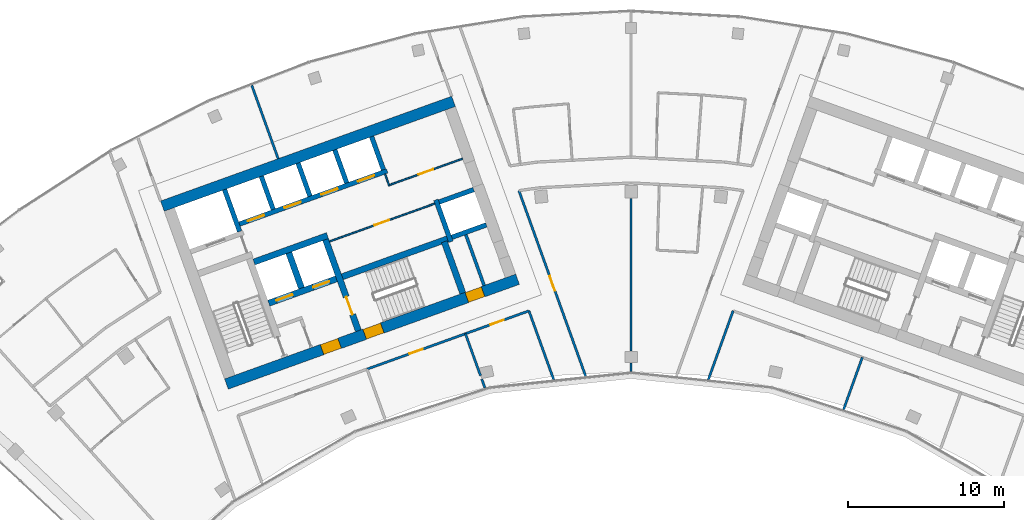
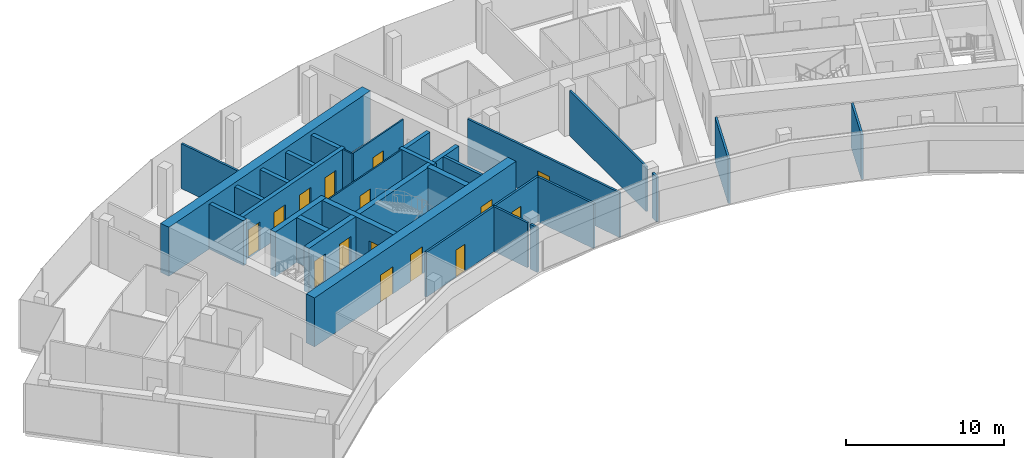
# One storey, part 13 of 18: 31 walls, 15 doors, 15 openings.
"""IFC4 building model written with IfcOpenShell, lengths in metres."""

from ifc_helpers import new_model, si_unit, direction, frame, frame_2d, origin, place, context, subcontext, project, spatial, rectangle, extrude, material, layer, layer_set, type_object, element, fill, save


model = new_model("IFC4")

# Units and contexts
model_context = context("Model", 3, precision=1e-05, world=origin(), true_north=direction((0.0, 1.0)))
body_context = subcontext(model_context, "Body", "Model", "MODEL_VIEW")
ifc_project = project(units=[si_unit("LENGTHUNIT", "METRE"), si_unit("AREAUNIT", "SQUARE_METRE"), si_unit("VOLUMEUNIT", "CUBIC_METRE"), si_unit("PLANEANGLEUNIT", "RADIAN"), si_unit("MASSUNIT", "GRAM", prefix="KILO")], contexts=[model_context])

# Site, building, storey
site_placement = place(None, origin())
site = spatial("IfcSite", under=ifc_project, at=site_placement, CompositionType="ELEMENT")
building_placement = place(site_placement, origin())
building = spatial("IfcBuilding", under=site, at=building_placement, Name="Stone Belt Terrace Tower", CompositionType="ELEMENT")
storey_placement = place(building_placement, frame((0.0, 0.0, 273.199951171875)))
storey = spatial("IfcBuildingStorey", under=building, at=storey_placement, Name="L66", CompositionType="ELEMENT", Elevation=273.199951171875)

# Wall, opening, door
ifc_material_1 = material(Name="Plasterboard partition")
ifc_layer_1 = layer(ifc_material_1, 0.10009765625)
ifc_layer_set_1 = layer_set([ifc_layer_1], Name="Core partition 100")
wall_type_1 = type_object("IfcWallType", Name="Core partition 100", PredefinedType="PARTITIONING", material=ifc_layer_set_1)
wall_1_placement = place(storey_placement, frame((-19.29052734375, 51.829833984375, 0.0), z_axis=(0.0, 0.0, 1.0), x_axis=(0.94092179465, 0.338623945331, 0.0)))
wall_1 = element("IfcWall", 1, at=wall_1_placement, inside=storey, type_object=wall_type_1, Name="Core A wall", PredefinedType="PARTITIONING", context=body_context, shape_type="SweptSolid", body=[
    extrude(rectangle(XDim=7.14990234375, YDim=0.10009765625, at=frame_2d((3.574951171875, 0.0))), origin(), (0.0, 0.0, 1.0), 3.47998046875),
])
opening_1_placement = place(wall_1_placement, frame((3.050048828125, 0.0, 0.0)))
opening_1 = element("IfcOpeningElement", 2, at=opening_1_placement, cuts=wall_1, Name="Opening L66-C02", PredefinedType="OPENING", context=body_context, shape_type="SweptSolid", body=[
    extrude(rectangle(XDim=1.0, YDim=2.10009765625, at=frame_2d((0.5, 1.050048828125))), frame((0.0, 0.06005859375, 0.0), z_axis=(0.0, -1.0, 0.0), x_axis=(1.0, 0.0, 0.0)), (0.0, 0.0, 1.0), 0.1201171875),
])
ifc_material_2 = material(Name="Timber door leaf", Category="wood")
door_type_1 = type_object("IfcDoorType", Name="Core room door 1000", OperationType="SINGLE_SWING_LEFT", PredefinedType="DOOR", material=ifc_material_2)
door_1_placement = place(opening_1_placement, origin())
door_1 = element("IfcDoor", 3, at=door_1_placement, inside=storey, type_object=door_type_1, Name="Door to Pantry core A", OperationType="SINGLE_SWING_LEFT", OverallHeight=2.10009765625, OverallWidth=1.0, PredefinedType="DOOR", context=body_context, shape_type="SweptSolid", body=[
    extrude(rectangle(XDim=1.0, YDim=2.10009765625, at=frame_2d((0.5, 1.050048828125))), frame((0.0, 0.02490234375, 0.0), z_axis=(0.0, -1.0, 0.0), x_axis=(1.0, 0.0, 0.0)), (0.0, 0.0, 1.0), 0.050048828125),
])
fill(opening_1, door_1)

# Wall
wall_2_placement = place(storey_placement, frame((-15.46826171875, 55.384033203125, 0.0), z_axis=(0.0, 0.0, 1.0), x_axis=(-0.338481684961, 0.940972979923, 0.0)))
element("IfcWall", 4, at=wall_2_placement, inside=storey, type_object=wall_type_1, Name="Core A wall", PredefinedType="PARTITIONING", context=body_context, shape_type="SweptSolid", body=[
    extrude(rectangle(XDim=0.7998046875, YDim=0.10009765625, at=frame_2d((0.39990234375, 0.0))), origin(), (0.0, 0.0, 1.0), 3.47998046875),
])

# Wall, opening, door
wall_3_placement = place(storey_placement, frame((-15.43798828125, 55.447998046875, 0.0), z_axis=(0.0, 0.0, 1.0), x_axis=(0.940914445113, 0.338644366522, 0.0)))
wall_3 = element("IfcWall", 5, at=wall_3_placement, inside=storey, type_object=wall_type_1, Name="Core A wall", PredefinedType="PARTITIONING", context=body_context, shape_type="SweptSolid", body=[
    extrude(rectangle(XDim=4.949951171875, YDim=0.10009765625, at=frame_2d((2.47509765625, 0.0))), origin(), (0.0, 0.0, 1.0), 3.47998046875),
])
opening_2_placement = place(wall_3_placement, frame((1.949951171875, 0.0, 0.0)))
opening_2 = element("IfcOpeningElement", 6, at=opening_2_placement, cuts=wall_3, Name="Opening L66-C01", PredefinedType="OPENING", context=body_context, shape_type="SweptSolid", body=[
    extrude(rectangle(XDim=1.0, YDim=2.10009765625, at=frame_2d((0.5, 1.050048828125))), frame((0.0, 0.06005859375, 0.0), z_axis=(0.0, -1.0, 0.0), x_axis=(1.0, 0.0, 0.0)), (0.0, 0.0, 1.0), 0.1201171875),
])
door_2_placement = place(opening_2_placement, origin())
door_2 = element("IfcDoor", 7, at=door_2_placement, inside=storey, type_object=door_type_1, Name="Door to Print and copy room core A", OperationType="SINGLE_SWING_LEFT", OverallHeight=2.10009765625, OverallWidth=1.0, PredefinedType="DOOR", context=body_context, shape_type="SweptSolid", body=[
    extrude(rectangle(XDim=1.0, YDim=2.10009765625, at=frame_2d((0.5, 1.050048828125))), frame((0.0, 0.02490234375, 0.0), z_axis=(0.0, -1.0, 0.0), x_axis=(1.0, 0.0, 0.0)), (0.0, 0.0, 1.0), 0.050048828125),
])
fill(opening_2, door_2)

# Wall, openings, doors
ifc_material_3 = material(Name="Concrete B60", Category="concrete")
ifc_layer_2 = layer(ifc_material_3, 0.699951171875)
ifc_layer_set_2 = layer_set([ifc_layer_2], Name="Core wall 700 B60")
wall_type_2 = type_object("IfcWallType", Name="Core wall 700 B60", PredefinedType="SHEAR", material=ifc_layer_set_2)
wall_4_placement = place(storey_placement, frame((-25.890869140625, 42.705810546875, 0.0), z_axis=(0.0, 0.0, 1.0), x_axis=(0.940925130461, 0.338614676094, 0.0)))
wall_4 = element("IfcWall", 8, at=wall_4_placement, inside=storey, type_object=wall_type_2, Name="Core A wall concave L66", PredefinedType="SHEAR", context=body_context, shape_type="SweptSolid", body=[
    extrude(rectangle(XDim=19.800048828125, YDim=0.699951171875, at=frame_2d((9.89990234375, 0.0))), origin(), (0.0, 0.0, 1.0), 3.800048828125),
])
opening_3_placement = place(wall_4_placement, frame((6.5, 0.0, 0.0)))
opening_3 = element("IfcOpeningElement", 9, at=opening_3_placement, cuts=wall_4, Name="Opening L66-C07", PredefinedType="OPENING", context=body_context, shape_type="SweptSolid", body=[
    extrude(rectangle(XDim=1.199951171875, YDim=2.10009765625, at=frame_2d((0.60009765625, 1.050048828125))), frame((0.0, 0.35986328125, 0.0), z_axis=(0.0, -1.0, 0.0), x_axis=(1.0, 0.0, 0.0)), (0.0, 0.0, 1.0), 0.719970703125),
])
opening_4_placement = place(wall_4_placement, frame((9.39990234375, 0.0, 0.0)))
opening_4 = element("IfcOpeningElement", 10, at=opening_4_placement, cuts=wall_4, Name="Opening L66-C09", PredefinedType="OPENING", context=body_context, shape_type="SweptSolid", body=[
    extrude(rectangle(XDim=1.199951171875, YDim=2.10009765625, at=frame_2d((0.60009765625, 1.050048828125))), frame((0.0, 0.35986328125, 0.0), z_axis=(0.0, -1.0, 0.0), x_axis=(1.0, 0.0, 0.0)), (0.0, 0.0, 1.0), 0.719970703125),
])
opening_5_placement = place(wall_4_placement, frame((16.35009765625, 0.0, 0.0)))
opening_5 = element("IfcOpeningElement", 11, at=opening_5_placement, cuts=wall_4, Name="Opening L66-C11", PredefinedType="OPENING", context=body_context, shape_type="SweptSolid", body=[
    extrude(rectangle(XDim=1.10009765625, YDim=2.10009765625, at=frame_2d((0.550048828125, 1.050048828125))), frame((0.0, 0.35986328125, 0.0), z_axis=(0.0, -1.0, 0.0), x_axis=(1.0, 0.0, 0.0)), (0.0, 0.0, 1.0), 0.719970703125),
])
door_type_2 = type_object("IfcDoorType", Name="Core room door 1100", OperationType="SINGLE_SWING_LEFT", PredefinedType="DOOR", material=ifc_material_2)
door_3_placement = place(opening_5_placement, origin())
door_3 = element("IfcDoor", 12, at=door_3_placement, inside=storey, type_object=door_type_2, Name="Door to Communications riser room core A", OperationType="SINGLE_SWING_LEFT", OverallHeight=2.10009765625, OverallWidth=1.10009765625, PredefinedType="DOOR", context=body_context, shape_type="SweptSolid", body=[
    extrude(rectangle(XDim=1.10009765625, YDim=2.10009765625, at=frame_2d((0.550048828125, 1.050048828125))), frame((0.0, 0.330078125, 0.0), z_axis=(0.0, -1.0, 0.0), x_axis=(1.0, 0.0, 0.0)), (0.0, 0.0, 1.0), 0.659912109375),
])
fill(opening_5, door_3)
ifc_material_4 = material(Name="Steel door leaf", Category="steel")
door_type_3 = type_object("IfcDoorType", Name="Fire-fighting lobby door 1200", OperationType="SINGLE_SWING_LEFT", PredefinedType="DOOR", material=ifc_material_4)
door_4_placement = place(opening_3_placement, origin())
door_4 = element("IfcDoor", 13, at=door_4_placement, inside=storey, type_object=door_type_3, Name="Fire-fighting lobby door core A", OperationType="SINGLE_SWING_LEFT", OverallHeight=2.10009765625, OverallWidth=1.199951171875, PredefinedType="DOOR", context=body_context, shape_type="SweptSolid", body=[
    extrude(rectangle(XDim=1.199951171875, YDim=2.10009765625, at=frame_2d((0.60009765625, 1.050048828125))), frame((0.0, 0.330078125, 0.0), z_axis=(0.0, -1.0, 0.0), x_axis=(1.0, 0.0, 0.0)), (0.0, 0.0, 1.0), 0.659912109375),
])
fill(opening_3, door_4)
door_type_4 = type_object("IfcDoorType", Name="Stair door 1200", OperationType="SINGLE_SWING_LEFT", PredefinedType="DOOR", material=ifc_material_4)
door_5_placement = place(opening_4_placement, origin())
door_5 = element("IfcDoor", 14, at=door_5_placement, inside=storey, type_object=door_type_4, Name="Stair 2 exit door core A", OperationType="SINGLE_SWING_RIGHT", OverallHeight=2.10009765625, OverallWidth=1.199951171875, PredefinedType="DOOR", context=body_context, shape_type="SweptSolid", body=[
    extrude(rectangle(XDim=1.199951171875, YDim=2.10009765625, at=frame_2d((0.60009765625, 1.050048828125))), frame((0.0, 0.330078125, 0.0), z_axis=(0.0, -1.0, 0.0), x_axis=(1.0, 0.0, 0.0)), (0.0, 0.0, 1.0), 0.659912109375),
])
fill(opening_4, door_5)

# Walls
wall_5_placement = place(storey_placement, frame((-29.988037109375, 54.0908203125, 0.0), z_axis=(0.0, 0.0, 1.0), x_axis=(0.940919787944, 0.33862952124, 0.0)))
element("IfcWall", 15, at=wall_5_placement, inside=storey, type_object=wall_type_2, Name="Core A wall convex L66", PredefinedType="SHEAR", context=body_context, shape_type="SweptSolid", body=[
    extrude(rectangle(XDim=19.7998046875, YDim=0.699951171875, at=frame_2d((9.89990234375, 0.0))), origin(), (0.0, 0.0, 1.0), 3.800048828125),
])
ifc_material_5 = material(Name="Concrete B80", Category="concrete")
ifc_layer_3 = layer(ifc_material_5, 0.39990234375)
ifc_layer_set_3 = layer_set([ifc_layer_3], Name="Fire-fighting lift shaft wall 400")
wall_type_3 = type_object("IfcWallType", Name="Fire-fighting lift shaft wall 400", PredefinedType="SHEAR", material=ifc_layer_set_3)
wall_6_placement = place(storey_placement, frame((-24.130615234375, 50.512939453125, 0.0), z_axis=(0.0, 0.0, 1.0), x_axis=(0.94091168377, 0.338652038744, 0.0)))
element("IfcWall", 16, at=wall_6_placement, inside=storey, type_object=wall_type_3, Name="Core A wall", PredefinedType="SHEAR", context=body_context, shape_type="SweptSolid", body=[
    extrude(rectangle(XDim=5.000244140625, YDim=0.39990234375, at=frame_2d((2.5, 0.0))), origin(), (0.0, 0.0, 1.0), 3.47998046875),
])
wall_7_placement = place(storey_placement, frame((-21.0859375, 48.845458984375, 0.0), z_axis=(0.0, 0.0, 1.0), x_axis=(-0.338629416206, 0.940919825745, 0.0)))
element("IfcWall", 17, at=wall_7_placement, inside=storey, type_object=wall_type_3, Name="Core A wall", PredefinedType="SHEAR", context=body_context, shape_type="SweptSolid", body=[
    extrude(rectangle(XDim=2.400146484375, YDim=0.39990234375, at=frame_2d((1.2001953125, 0.0))), origin(), (0.0, 0.0, 1.0), 3.47998046875),
])
ifc_layer_4 = layer(ifc_material_5, 0.300048828125)
ifc_layer_set_4 = layer_set([ifc_layer_4], Name="Lift shaft wall 300")
wall_type_4 = type_object("IfcWallType", Name="Lift shaft wall 300", PredefinedType="SHEAR", material=ifc_layer_set_4)
wall_8_placement = place(storey_placement, frame((-25.046875, 52.46826171875, 0.0), z_axis=(0.0, 0.0, 1.0), x_axis=(-0.338549588058, 0.940948551423, 0.0)))
element("IfcWall", 18, at=wall_8_placement, inside=storey, type_object=wall_type_4, Name="Core A wall", PredefinedType="SHEAR", context=body_context, shape_type="SweptSolid", body=[
    extrude(rectangle(XDim=2.849853515625, YDim=0.300048828125, at=frame_2d((1.4248046875, 0.0))), origin(), (0.0, 0.0, 1.0), 3.47998046875),
])

# Wall, openings, doors
wall_9_placement = place(storey_placement, frame((-25.05810546875, 52.9423828125, 0.0), z_axis=(0.0, 0.0, 1.0), x_axis=(0.940917446785, 0.338636026339, 0.0)))
wall_9 = element("IfcWall", 19, at=wall_9_placement, inside=storey, type_object=wall_type_4, Name="Core A wall", PredefinedType="SHEAR", context=body_context, shape_type="SweptSolid", body=[
    extrude(rectangle(XDim=10.050048828125, YDim=0.300048828125, at=frame_2d((5.02490234375, 0.0))), origin(), (0.0, 0.0, 1.0), 3.47998046875),
])
opening_6_placement = place(wall_9_placement, frame((0.570068359375, 0.0, 0.0)))
opening_6 = element("IfcOpeningElement", 20, at=opening_6_placement, cuts=wall_9, Name="Opening L66-LD01", PredefinedType="OPENING", context=body_context, shape_type="SweptSolid", body=[
    extrude(rectangle(XDim=1.10009765625, YDim=2.199951171875, at=frame_2d((0.550048828125, 1.10009765625))), frame((0.0, 0.159912109375, 0.0), z_axis=(0.0, -1.0, 0.0), x_axis=(1.0, 0.0, 0.0)), (0.0, 0.0, 1.0), 0.320068359375),
])
opening_7_placement = place(wall_9_placement, frame((3.070068359375, 0.0, 0.0)))
opening_7 = element("IfcOpeningElement", 21, at=opening_7_placement, cuts=wall_9, Name="Opening L66-LD02", PredefinedType="OPENING", context=body_context, shape_type="SweptSolid", body=[
    extrude(rectangle(XDim=1.10009765625, YDim=2.199951171875, at=frame_2d((0.550048828125, 1.10009765625))), frame((0.0, 0.159912109375, 0.0), z_axis=(0.0, -1.0, 0.0), x_axis=(1.0, 0.0, 0.0)), (0.0, 0.0, 1.0), 0.320068359375),
])
opening_8_placement = place(wall_9_placement, frame((5.570068359375, 0.0, 0.0)))
opening_8 = element("IfcOpeningElement", 22, at=opening_8_placement, cuts=wall_9, Name="Opening L66-LD03", PredefinedType="OPENING", context=body_context, shape_type="SweptSolid", body=[
    extrude(rectangle(XDim=1.10009765625, YDim=2.199951171875, at=frame_2d((0.550048828125, 1.10009765625))), frame((0.0, 0.159912109375, 0.0), z_axis=(0.0, -1.0, 0.0), x_axis=(1.0, 0.0, 0.0)), (0.0, 0.0, 1.0), 0.320068359375),
])
opening_9_placement = place(wall_9_placement, frame((8.070068359375, 0.0, 0.0)))
opening_9 = element("IfcOpeningElement", 23, at=opening_9_placement, cuts=wall_9, Name="Opening L66-LD04", PredefinedType="OPENING", context=body_context, shape_type="SweptSolid", body=[
    extrude(rectangle(XDim=1.10009765625, YDim=2.199951171875, at=frame_2d((0.550048828125, 1.10009765625))), frame((0.0, 0.159912109375, 0.0), z_axis=(0.0, -1.0, 0.0), x_axis=(1.0, 0.0, 0.0)), (0.0, 0.0, 1.0), 0.320068359375),
])
ifc_material_6 = material(Name="Stainless steel door leaf", Category="steel")
door_type_5 = type_object("IfcDoorType", Name="Landing door 1100", OperationType="SLIDING_TO_LEFT", PredefinedType="DOOR", material=ifc_material_6)
door_6_placement = place(opening_6_placement, origin())
door_6 = element("IfcDoor", 24, at=door_6_placement, inside=storey, type_object=door_type_5, Name="Landing door HR1 core A", OperationType="SLIDING_TO_LEFT", OverallHeight=2.199951171875, OverallWidth=1.10009765625, PredefinedType="DOOR", context=body_context, shape_type="SweptSolid", body=[
    extrude(rectangle(XDim=1.10009765625, YDim=2.199951171875, at=frame_2d((0.550048828125, 1.10009765625))), frame((0.0, 0.02490234375, 0.0), z_axis=(0.0, -1.0, 0.0), x_axis=(1.0, 0.0, 0.0)), (0.0, 0.0, 1.0), 0.050048828125),
])
fill(opening_6, door_6)
door_7_placement = place(opening_7_placement, origin())
door_7 = element("IfcDoor", 25, at=door_7_placement, inside=storey, type_object=door_type_5, Name="Landing door HR2 core A", OperationType="SLIDING_TO_LEFT", OverallHeight=2.199951171875, OverallWidth=1.10009765625, PredefinedType="DOOR", context=body_context, shape_type="SweptSolid", body=[
    extrude(rectangle(XDim=1.10009765625, YDim=2.199951171875, at=frame_2d((0.550048828125, 1.10009765625))), frame((0.0, 0.02490234375, 0.0), z_axis=(0.0, -1.0, 0.0), x_axis=(1.0, 0.0, 0.0)), (0.0, 0.0, 1.0), 0.050048828125),
])
fill(opening_7, door_7)
door_8_placement = place(opening_8_placement, origin())
door_8 = element("IfcDoor", 26, at=door_8_placement, inside=storey, type_object=door_type_5, Name="Landing door HR3 core A", OperationType="SLIDING_TO_LEFT", OverallHeight=2.199951171875, OverallWidth=1.10009765625, PredefinedType="DOOR", context=body_context, shape_type="SweptSolid", body=[
    extrude(rectangle(XDim=1.10009765625, YDim=2.199951171875, at=frame_2d((0.550048828125, 1.10009765625))), frame((0.0, 0.02490234375, 0.0), z_axis=(0.0, -1.0, 0.0), x_axis=(1.0, 0.0, 0.0)), (0.0, 0.0, 1.0), 0.050048828125),
])
fill(opening_8, door_8)
door_9_placement = place(opening_9_placement, origin())
door_9 = element("IfcDoor", 27, at=door_9_placement, inside=storey, type_object=door_type_5, Name="Landing door HR4 core A", OperationType="SLIDING_TO_LEFT", OverallHeight=2.199951171875, OverallWidth=1.10009765625, PredefinedType="DOOR", context=body_context, shape_type="SweptSolid", body=[
    extrude(rectangle(XDim=1.10009765625, YDim=2.199951171875, at=frame_2d((0.550048828125, 1.10009765625))), frame((0.0, 0.02490234375, 0.0), z_axis=(0.0, -1.0, 0.0), x_axis=(1.0, 0.0, 0.0)), (0.0, 0.0, 1.0), 0.050048828125),
])
fill(opening_9, door_9)

# Walls
wall_10_placement = place(storey_placement, frame((-22.897705078125, 53.87939453125, 0.0), z_axis=(0.0, 0.0, 1.0), x_axis=(-0.338535034312, 0.940953787677, 0.0)))
element("IfcWall", 28, at=wall_10_placement, inside=storey, type_object=wall_type_4, Name="Core A wall", PredefinedType="SHEAR", context=body_context, shape_type="SweptSolid", body=[
    extrude(rectangle(XDim=2.25, YDim=0.300048828125, at=frame_2d((1.125, 0.0))), origin(), (0.0, 0.0, 1.0), 3.47998046875),
])
wall_11_placement = place(storey_placement, frame((-20.54541015625, 54.72607421875, 0.0), z_axis=(0.0, 0.0, 1.0), x_axis=(-0.338569601369, 0.940941350472, 0.0)))
element("IfcWall", 29, at=wall_11_placement, inside=storey, type_object=wall_type_4, Name="Core A wall", PredefinedType="SHEAR", context=body_context, shape_type="SweptSolid", body=[
    extrude(rectangle(XDim=2.249755859375, YDim=0.300048828125, at=frame_2d((1.125, 0.0))), origin(), (0.0, 0.0, 1.0), 3.47998046875),
])
wall_12_placement = place(storey_placement, frame((-18.193115234375, 55.572509765625, 0.0), z_axis=(0.0, 0.0, 1.0), x_axis=(-0.338535034312, 0.940953787677, 0.0)))
element("IfcWall", 30, at=wall_12_placement, inside=storey, type_object=wall_type_4, Name="Core A wall", PredefinedType="SHEAR", context=body_context, shape_type="SweptSolid", body=[
    extrude(rectangle(XDim=2.25, YDim=0.300048828125, at=frame_2d((1.125, 0.0))), origin(), (0.0, 0.0, 1.0), 3.47998046875),
])
wall_13_placement = place(storey_placement, frame((-15.8408203125, 56.419189453125, 0.0), z_axis=(0.0, 0.0, 1.0), x_axis=(-0.338569601369, 0.940941350472, 0.0)))
element("IfcWall", 31, at=wall_13_placement, inside=storey, type_object=wall_type_4, Name="Core A wall", PredefinedType="SHEAR", context=body_context, shape_type="SweptSolid", body=[
    extrude(rectangle(XDim=2.249755859375, YDim=0.300048828125, at=frame_2d((1.125, 0.0))), origin(), (0.0, 0.0, 1.0), 3.47998046875),
])
wall_14_placement = place(storey_placement, frame((-11.5244140625, 51.808349609375, 0.0), z_axis=(0.0, 0.0, 1.0), x_axis=(-0.338625431531, 0.940921259788, 0.0)))
element("IfcWall", 32, at=wall_14_placement, inside=storey, type_object=wall_type_4, Name="Core A wall", PredefinedType="SHEAR", context=body_context, shape_type="SweptSolid", body=[
    extrude(rectangle(XDim=2.85009765625, YDim=0.300048828125, at=frame_2d((1.425048828125, 0.0))), origin(), (0.0, 0.0, 1.0), 3.47998046875),
])
wall_15_placement = place(storey_placement, frame((-11.468017578125, 52.09423828125, 0.0), z_axis=(0.0, 0.0, 1.0), x_axis=(0.940904627055, 0.338671644496, 0.0)))
element("IfcWall", 33, at=wall_15_placement, inside=storey, type_object=wall_type_4, Name="Core A wall", PredefinedType="SHEAR", context=body_context, shape_type="SweptSolid", body=[
    extrude(rectangle(XDim=2.35009765625, YDim=0.300048828125, at=frame_2d((1.175048828125, 0.0))), origin(), (0.0, 0.0, 1.0), 3.47998046875),
])
wall_16_placement = place(storey_placement, frame((-12.280517578125, 54.3525390625, 0.0), z_axis=(0.0, 0.0, 1.0), x_axis=(0.940925816745, 0.338612769078, 0.0)))
element("IfcWall", 34, at=wall_16_placement, inside=storey, type_object=wall_type_4, Name="Core A wall", PredefinedType="SHEAR", context=body_context, shape_type="SweptSolid", body=[
    extrude(rectangle(XDim=2.349853515625, YDim=0.300048828125, at=frame_2d((1.1748046875, 0.0))), origin(), (0.0, 0.0, 1.0), 3.47998046875),
])
ifc_material_7 = material(Name="Gypsum board partition")
ifc_layer_5 = layer(ifc_material_7, 0.14990234375)
ifc_layer_set_5 = layer_set([ifc_layer_5], Name="PARTITION 150 EI 60")
wall_type_5 = type_object("IfcWallType", Name="PARTITION 150 EI 60", PredefinedType="PARTITIONING", material=ifc_layer_set_5)
wall_17_placement = place(storey_placement, frame((-4.9462890625, 42.980224609375, 0.0), z_axis=(0.0, 0.0, 1.0), x_axis=(-0.338653121837, 0.940911293943, 0.0)))
element("IfcWall", 35, at=wall_17_placement, inside=storey, type_object=wall_type_5, Name="L66/wall/i007", PredefinedType="PARTITIONING", context=body_context, shape_type="SweptSolid", body=[
    extrude(rectangle(XDim=4.69091796875, YDim=0.14990234375, at=frame_2d((2.345458984375, 0.0))), origin(), (0.0, 0.0, 1.0), 3.47998046875),
])

# Wall, opening, door
wall_18_placement = place(storey_placement, frame((-7.177978515625, 55.089111328125, 0.0), z_axis=(0.0, 0.0, 1.0), x_axis=(0.338597725617, -0.940931230328, 0.0)))
wall_18 = element("IfcWall", 36, at=wall_18_placement, inside=storey, type_object=wall_type_5, Name="L66/wall/i009", PredefinedType="PARTITIONING", context=body_context, shape_type="SweptSolid", body=[
    extrude(rectangle(XDim=12.640380859375, YDim=0.14990234375, at=frame_2d((6.3203125, 0.0))), origin(), (0.0, 0.0, 1.0), 3.47998046875),
])
opening_10_placement = place(wall_18_placement, frame((5.820068359375, 0.0, 0.0)))
opening_10 = element("IfcOpeningElement", 37, at=opening_10_placement, cuts=wall_18, Name="Opening D-E2-26", PredefinedType="OPENING", context=body_context, shape_type="SweptSolid", body=[
    extrude(rectangle(XDim=1.0, YDim=2.10009765625, at=frame_2d((0.5, 1.050048828125))), frame((0.0, 0.0849609375, 0.0), z_axis=(0.0, -1.0, 0.0), x_axis=(1.0, 0.0, 0.0)), (0.0, 0.0, 1.0), 0.169921875),
])
ifc_material_8 = material(Name="Timber fire door leaf", Category="wood")
door_type_6 = type_object("IfcDoorType", Name="TENANCY ENTRANCE DOOR 1000 X 2100", OperationType="NOTDEFINED", PredefinedType="DOOR", material=ifc_material_8)
door_10_placement = place(opening_10_placement, origin())
door_10 = element("IfcDoor", 38, at=door_10_placement, inside=storey, type_object=door_type_6, Name="L66/door/i26", OperationType="SINGLE_SWING_LEFT", OverallHeight=2.10009765625, OverallWidth=1.0, PredefinedType="DOOR", context=body_context, shape_type="SweptSolid", body=[
    extrude(rectangle(XDim=1.0, YDim=2.10009765625, at=frame_2d((0.5, 1.050048828125))), frame((0.0, 0.02490234375, 0.0), z_axis=(0.0, -1.0, 0.0), x_axis=(1.0, 0.0, 0.0)), (0.0, 0.0, 1.0), 0.050048828125),
])
fill(opening_10, door_10)

wall_19_placement = place(storey_placement, frame((-10.591064453125, 45.927001953125, 0.0), z_axis=(0.0, 0.0, 1.0), x_axis=(-0.940955650119, -0.338529857632, 0.0)))
wall_19 = element("IfcWall", 39, at=wall_19_placement, inside=storey, type_object=wall_type_5, Name="L66/wall/i012", PredefinedType="PARTITIONING", context=body_context, shape_type="SweptSolid", body=[
    extrude(rectangle(XDim=6.70263671875, YDim=0.14990234375, at=frame_2d((3.351318359375, 0.0))), origin(), (0.0, 0.0, 1.0), 3.47998046875),
])
opening_11_placement = place(wall_19_placement, frame((2.9013671875, 0.0, 0.0)))
opening_11 = element("IfcOpeningElement", 40, at=opening_11_placement, cuts=wall_19, Name="Opening D-E2-02", PredefinedType="OPENING", context=body_context, shape_type="SweptSolid", body=[
    extrude(rectangle(XDim=0.89990234375, YDim=2.10009765625, at=frame_2d((0.449951171875, 1.050048828125))), frame((0.0, 0.0849609375, 0.0), z_axis=(0.0, -1.0, 0.0), x_axis=(1.0, 0.0, 0.0)), (0.0, 0.0, 1.0), 0.169921875),
])
door_type_7 = type_object("IfcDoorType", Name="OFFICE DOOR 900 X 2100", OperationType="NOTDEFINED", PredefinedType="DOOR", material=ifc_material_2)
door_11_placement = place(opening_11_placement, origin())
door_11 = element("IfcDoor", 41, at=door_11_placement, inside=storey, type_object=door_type_7, Name="L66/door/i02", OperationType="SINGLE_SWING_RIGHT", OverallHeight=2.10009765625, OverallWidth=0.89990234375, PredefinedType="DOOR", context=body_context, shape_type="SweptSolid", body=[
    extrude(rectangle(XDim=0.89990234375, YDim=2.10009765625, at=frame_2d((0.449951171875, 1.050048828125))), frame((0.0, 0.02490234375, 0.0), z_axis=(0.0, -1.0, 0.0), x_axis=(1.0, 0.0, 0.0)), (0.0, 0.0, 1.0), 0.050048828125),
])
fill(opening_11, door_11)

wall_20_placement = place(storey_placement, frame((-6.532958984375, 47.387939453125, 0.0), z_axis=(0.0, 0.0, 1.0), x_axis=(-0.94091546888, -0.338641522001, 0.0)))
wall_20 = element("IfcWall", 42, at=wall_20_placement, inside=storey, type_object=wall_type_5, Name="L66/wall/i013", PredefinedType="PARTITIONING", context=body_context, shape_type="SweptSolid", body=[
    extrude(rectangle(XDim=4.32568359375, YDim=0.14990234375, at=frame_2d((2.162841796875, 0.0))), origin(), (0.0, 0.0, 1.0), 3.47998046875),
])
opening_12_placement = place(wall_20_placement, frame((1.712890625, 0.0, 0.0)))
opening_12 = element("IfcOpeningElement", 43, at=opening_12_placement, cuts=wall_20, Name="Opening D-E2-03", PredefinedType="OPENING", context=body_context, shape_type="SweptSolid", body=[
    extrude(rectangle(XDim=0.89990234375, YDim=2.10009765625, at=frame_2d((0.449951171875, 1.050048828125))), frame((0.0, 0.0849609375, 0.0), z_axis=(0.0, -1.0, 0.0), x_axis=(1.0, 0.0, 0.0)), (0.0, 0.0, 1.0), 0.169921875),
])
door_12_placement = place(opening_12_placement, origin())
door_12 = element("IfcDoor", 44, at=door_12_placement, inside=storey, type_object=door_type_7, Name="L66/door/i03", OperationType="SINGLE_SWING_RIGHT", OverallHeight=2.10009765625, OverallWidth=0.89990234375, PredefinedType="DOOR", context=body_context, shape_type="SweptSolid", body=[
    extrude(rectangle(XDim=0.89990234375, YDim=2.10009765625, at=frame_2d((0.449951171875, 1.050048828125))), frame((0.0, 0.02490234375, 0.0), z_axis=(0.0, -1.0, 0.0), x_axis=(1.0, 0.0, 0.0)), (0.0, 0.0, 1.0), 0.050048828125),
])
fill(opening_12, door_12)

# Walls
wall_21_placement = place(storey_placement, frame((-10.596923828125, 45.925048828125, 0.0), z_axis=(0.0, 0.0, 1.0), x_axis=(0.338677047669, -0.940902682206, 0.0)))
element("IfcWall", 45, at=wall_21_placement, inside=storey, type_object=wall_type_5, Name="L66/wall/i015", PredefinedType="PARTITIONING", context=body_context, shape_type="SweptSolid", body=[
    extrude(rectangle(XDim=2.853271484375, YDim=0.14990234375, at=frame_2d((1.4267578125, 0.0))), origin(), (0.0, 0.0, 1.0), 3.47998046875),
])
wall_22_placement = place(storey_placement, frame((-9.551025390625, 43.019287109375, 0.0), z_axis=(0.0, 0.0, 1.0), x_axis=(0.338837242168, -0.94084500494, 0.0)))
element("IfcWall", 46, at=wall_22_placement, inside=storey, type_object=wall_type_5, Name="L66/wall/i016", PredefinedType="PARTITIONING", context=body_context, shape_type="SweptSolid", body=[
    extrude(rectangle(XDim=0.587158203125, YDim=0.14990234375, at=frame_2d((0.29345703125, 0.0))), origin(), (0.0, 0.0, 1.0), 3.47998046875),
])
wall_23_placement = place(storey_placement, frame((-24.268798828125, 61.817138671875, 0.0), z_axis=(0.0, 0.0, 1.0), x_axis=(0.338715998231, -0.940888661077, 0.0)))
element("IfcWall", 47, at=wall_23_placement, inside=storey, type_object=wall_type_5, Name="L66/wall/i017", PredefinedType="PARTITIONING", context=body_context, shape_type="SweptSolid", body=[
    extrude(rectangle(XDim=4.982666015625, YDim=0.14990234375, at=frame_2d((2.4912109375, 0.0))), origin(), (0.0, 0.0, 1.0), 3.47998046875),
])
wall_24_placement = place(storey_placement, frame((6.534912109375, 47.39404296875, 0.0), z_axis=(0.0, 0.0, 1.0), x_axis=(-0.338653121837, -0.940911293943, 0.0)))
element("IfcWall", 48, at=wall_24_placement, inside=storey, type_object=wall_type_5, Name="L66/wall/i018", PredefinedType="PARTITIONING", context=body_context, shape_type="SweptSolid", body=[
    extrude(rectangle(XDim=4.69091796875, YDim=0.14990234375, at=frame_2d((2.345458984375, 0.0))), origin(), (0.0, 0.0, 1.0), 3.47998046875),
])
wall_25_placement = place(storey_placement, frame((14.802978515625, 44.410888671875, 0.0), z_axis=(0.0, 0.0, 1.0), x_axis=(-0.338738940611, -0.940880401599, 0.0)))
element("IfcWall", 49, at=wall_25_placement, inside=storey, type_object=wall_type_5, Name="L66/wall/i033", PredefinedType="PARTITIONING", context=body_context, shape_type="SweptSolid", body=[
    extrude(rectangle(XDim=3.5517578125, YDim=0.14990234375, at=frame_2d((1.77587890625, 0.0))), origin(), (0.0, 0.0, 1.0), 3.47998046875),
])
wall_26_placement = place(storey_placement, frame((0.0, 54.570068359375, 0.0), z_axis=(0.0, 0.0, 1.0), x_axis=(0.0, -1.0, 0.0)))
element("IfcWall", 50, at=wall_26_placement, inside=storey, type_object=wall_type_5, Name="L66/wall/i101", PredefinedType="PARTITIONING", context=body_context, shape_type="SweptSolid", body=[
    extrude(rectangle(XDim=9.7451171875, YDim=0.14990234375, at=frame_2d((4.87255859375, 0.0))), origin(), (0.0, 0.0, 1.0), 3.47998046875),
])
wall_27_placement = place(storey_placement, frame((0.0, 44.06494140625, 0.0), z_axis=(0.0, 0.0, 1.0), x_axis=(0.0, -1.0, 0.0)))
element("IfcWall", 51, at=wall_27_placement, inside=storey, type_object=wall_type_5, Name="L66/wall/i102", PredefinedType="PARTITIONING", context=body_context, shape_type="SweptSolid", body=[
    extrude(rectangle(XDim=0.56494140625, YDim=0.14990234375, at=frame_2d((0.282470703125, 0.0))), origin(), (0.0, 0.0, 1.0), 3.47998046875),
])
ifc_material_9 = material(Name="Concrete masonry block", Category="masonry")
ifc_layer_6 = layer(ifc_material_9, 0.199951171875)
ifc_layer_set_6 = layer_set([ifc_layer_6], Name="Rated lobby wall 200")
wall_type_6 = type_object("IfcWallType", Name="Rated lobby wall 200", PredefinedType="PARTITIONING", material=ifc_layer_set_6)
wall_28_placement = place(storey_placement, frame((-9.402099609375, 49.01171875, 0.0), z_axis=(0.0, 0.0, 1.0), x_axis=(-0.338599189079, 0.940930703695, 0.0)))
element("IfcWall", 52, at=wall_28_placement, inside=storey, type_object=wall_type_6, Name="Core A wall", PredefinedType="PARTITIONING", context=body_context, shape_type="SweptSolid", body=[
    extrude(rectangle(XDim=3.4501953125, YDim=0.199951171875, at=frame_2d((1.72509765625, 0.0))), origin(), (0.0, 0.0, 1.0), 3.47998046875),
])

# Wall, openings, doors
ifc_layer_7 = layer(ifc_material_5, 0.39990234375)
ifc_layer_set_7 = layer_set([ifc_layer_7], Name="Stair enclosure wall 400")
wall_type_7 = type_object("IfcWallType", Name="Stair enclosure wall 400", PredefinedType="SHEAR", material=ifc_layer_set_7)
wall_29_placement = place(storey_placement, frame((-23.182373046875, 47.87841796875, 0.0), z_axis=(0.0, 0.0, 1.0), x_axis=(0.940921731919, 0.338624119641, 0.0)))
wall_29 = element("IfcWall", 53, at=wall_29_placement, inside=storey, type_object=wall_type_7, Name="Core A wall", PredefinedType="SHEAR", context=body_context, shape_type="SweptSolid", body=[
    extrude(rectangle(XDim=12.14990234375, YDim=0.39990234375, at=frame_2d((6.074951171875, 0.0))), origin(), (0.0, 0.0, 1.0), 3.47998046875),
])
opening_13_placement = place(wall_29_placement, frame((0.52001953125, 0.0, 0.0)))
opening_13 = element("IfcOpeningElement", 54, at=opening_13_placement, cuts=wall_29, Name="Opening L66-LD05", PredefinedType="OPENING", context=body_context, shape_type="SweptSolid", body=[
    extrude(rectangle(XDim=1.10009765625, YDim=2.199951171875, at=frame_2d((0.550048828125, 1.10009765625))), frame((0.0, 0.2099609375, 0.0), z_axis=(0.0, -1.0, 0.0), x_axis=(1.0, 0.0, 0.0)), (0.0, 0.0, 1.0), 0.419921875),
])
opening_14_placement = place(wall_29_placement, frame((3.02001953125, 0.0, 0.0)))
opening_14 = element("IfcOpeningElement", 55, at=opening_14_placement, cuts=wall_29, Name="Opening L66-LD06", PredefinedType="OPENING", context=body_context, shape_type="SweptSolid", body=[
    extrude(rectangle(XDim=1.10009765625, YDim=2.199951171875, at=frame_2d((0.550048828125, 1.10009765625))), frame((0.0, 0.2099609375, 0.0), z_axis=(0.0, -1.0, 0.0), x_axis=(1.0, 0.0, 0.0)), (0.0, 0.0, 1.0), 0.419921875),
])
door_13_placement = place(opening_13_placement, origin())
door_13 = element("IfcDoor", 56, at=door_13_placement, inside=storey, type_object=door_type_5, Name="Landing door FF1 core A", OperationType="SLIDING_TO_LEFT", OverallHeight=2.199951171875, OverallWidth=1.10009765625, PredefinedType="DOOR", context=body_context, shape_type="SweptSolid", body=[
    extrude(rectangle(XDim=1.10009765625, YDim=2.199951171875, at=frame_2d((0.550048828125, 1.10009765625))), frame((0.0, 0.02490234375, 0.0), z_axis=(0.0, -1.0, 0.0), x_axis=(1.0, 0.0, 0.0)), (0.0, 0.0, 1.0), 0.050048828125),
])
fill(opening_13, door_13)
door_14_placement = place(opening_14_placement, origin())
door_14 = element("IfcDoor", 57, at=door_14_placement, inside=storey, type_object=door_type_5, Name="Landing door FF2 core A", OperationType="SLIDING_TO_LEFT", OverallHeight=2.199951171875, OverallWidth=1.10009765625, PredefinedType="DOOR", context=body_context, shape_type="SweptSolid", body=[
    extrude(rectangle(XDim=1.10009765625, YDim=2.199951171875, at=frame_2d((0.550048828125, 1.10009765625))), frame((0.0, 0.02490234375, 0.0), z_axis=(0.0, -1.0, 0.0), x_axis=(1.0, 0.0, 0.0)), (0.0, 0.0, 1.0), 0.050048828125),
])
fill(opening_14, door_14)

# Wall, opening, door
wall_30_placement = place(storey_placement, frame((-17.447021484375, 46.116455078125, 0.0), z_axis=(0.0, 0.0, 1.0), x_axis=(-0.33860791464, 0.940927563707, 0.0)))
wall_30 = element("IfcWall", 58, at=wall_30_placement, inside=storey, type_object=wall_type_7, Name="Core A wall", PredefinedType="SHEAR", context=body_context, shape_type="SweptSolid", body=[
    extrude(rectangle(XDim=6.199951171875, YDim=0.39990234375, at=frame_2d((3.10009765625, 0.0))), origin(), (0.0, 0.0, 1.0), 3.47998046875),
])
opening_15_placement = place(wall_30_placement, frame((1.10009765625, 0.0, 0.0)))
opening_15 = element("IfcOpeningElement", 59, at=opening_15_placement, cuts=wall_30, Name="Opening L66-C08", PredefinedType="OPENING", context=body_context, shape_type="SweptSolid", body=[
    extrude(rectangle(XDim=1.199951171875, YDim=2.10009765625, at=frame_2d((0.60009765625, 1.050048828125))), frame((0.0, 0.2099609375, 0.0), z_axis=(0.0, -1.0, 0.0), x_axis=(1.0, 0.0, 0.0)), (0.0, 0.0, 1.0), 0.419921875),
])
door_15_placement = place(opening_15_placement, origin())
door_15 = element("IfcDoor", 60, at=door_15_placement, inside=storey, type_object=door_type_4, Name="Stair 2 door core A", OperationType="SINGLE_SWING_LEFT", OverallHeight=2.10009765625, OverallWidth=1.199951171875, PredefinedType="DOOR", context=body_context, shape_type="SweptSolid", body=[
    extrude(rectangle(XDim=1.199951171875, YDim=2.10009765625, at=frame_2d((0.60009765625, 1.050048828125))), frame((0.0, 0.02490234375, 0.0), z_axis=(0.0, -1.0, 0.0), x_axis=(1.0, 0.0, 0.0)), (0.0, 0.0, 1.0), 0.050048828125),
])
fill(opening_15, door_15)

# Wall
wall_31_placement = place(storey_placement, frame((-10.766357421875, 48.520751953125, 0.0), z_axis=(0.0, 0.0, 1.0), x_axis=(-0.338655246459, 0.940910529246, 0.0)))
element("IfcWall", 61, at=wall_31_placement, inside=storey, type_object=wall_type_7, Name="Core A wall", PredefinedType="SHEAR", context=body_context, shape_type="SweptSolid", body=[
    extrude(rectangle(XDim=3.5, YDim=0.39990234375, at=frame_2d((1.75, 0.0))), origin(), (0.0, 0.0, 1.0), 3.47998046875),
])

save(model, "model.ifc")
